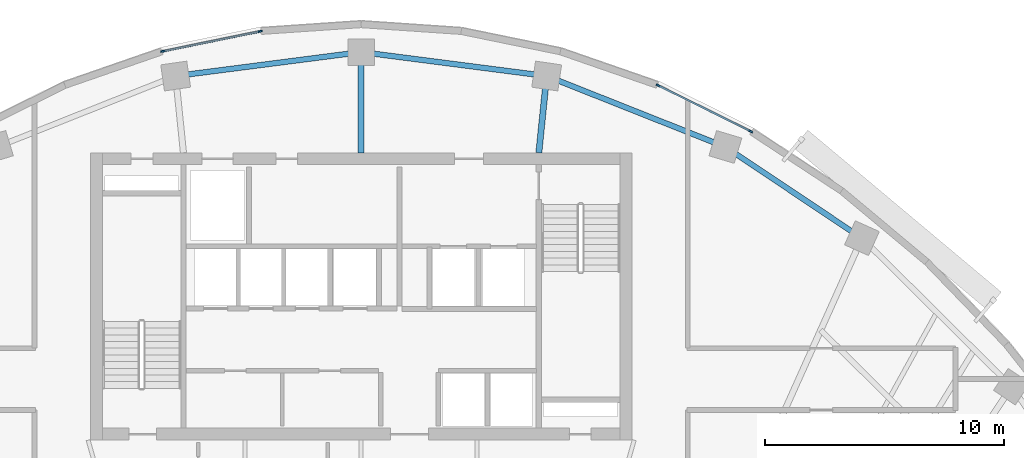
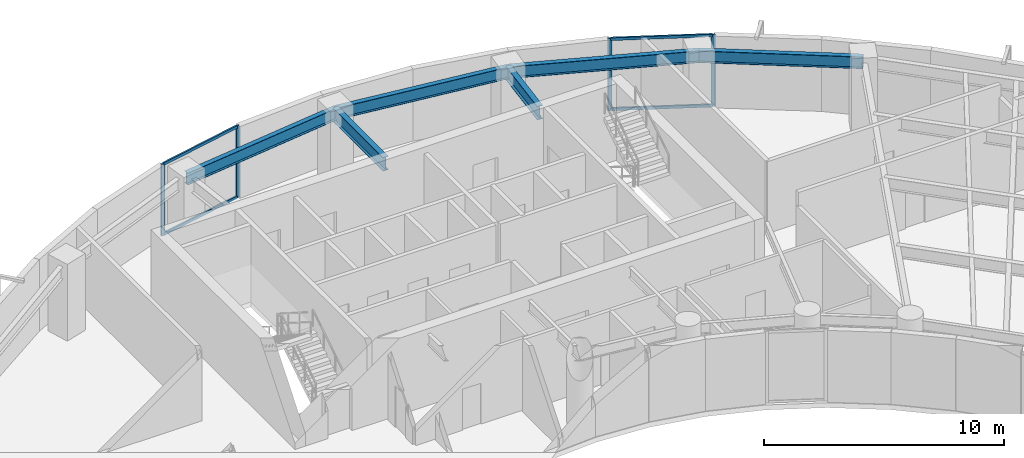
# One storey, part 5 of 13: 8 members, 6 beams, 2 elements without a shape of their own.
"""IFC4 building model written with IfcOpenShell, lengths in metres."""

from ifc_helpers import new_model, si_unit, direction, frame, origin, origin_2d, place, context, subcontext, project, spatial, rectangle, i_section, extrude, source, transform, mapped, material, layer, layer_set, material_profile, profile_set, type_object, element, aggregate, save


model = new_model("IFC4")

# Units and contexts
model_context = context("Model", 3, precision=1e-05, world=origin(), true_north=direction((0.0, 1.0)))
body_context = subcontext(model_context, "Body", "Model", "MODEL_VIEW")
ifc_project = project(units=[si_unit("LENGTHUNIT", "METRE"), si_unit("AREAUNIT", "SQUARE_METRE"), si_unit("VOLUMEUNIT", "CUBIC_METRE"), si_unit("PLANEANGLEUNIT", "RADIAN"), si_unit("MASSUNIT", "GRAM", prefix="KILO")], contexts=[model_context])

# Site, building, storey
site_placement = place(None, origin())
site = spatial("IfcSite", under=ifc_project, at=site_placement, CompositionType="ELEMENT")
building_placement = place(site_placement, origin())
building = spatial("IfcBuilding", under=site, at=building_placement, Name="Breltana Convention Tower", CompositionType="ELEMENT")
storey_placement = place(building_placement, frame((0.0, 0.0, 154.5)))
storey = spatial("IfcBuildingStorey", under=building, at=storey_placement, Name="L37", CompositionType="ELEMENT", Elevation=154.5)

# Beams
ifc_material_1 = material(Name="Steel ASTM A992 Grade 50", Category="steel")
ifc_material_profile_1 = material_profile(ifc_material_1, i_section(OverallWidth=0.25390625, OverallDepth=0.68798828125, WebThickness=0.01318359375, FlangeThickness=0.02099609375, at=origin_2d()), Name="W27X102")
ifc_profile_set_1 = profile_set([ifc_material_profile_1], Name="Steel ASTM A992 Grade 50")
beam_type_1 = type_object("IfcBeamType", Name="BM-RG-W27X102", PredefinedType="USERDEFINED", material=ifc_profile_set_1)
shared_shape_1 = source(origin(), body_context, "Body", "SweptSolid", [
    extrude(i_section(OverallWidth=0.25390625, OverallDepth=0.68798828125, WebThickness=0.01318359375, FlangeThickness=0.02099609375, at=origin_2d()), origin(), (0.0, 0.0, 1.0), 3.220947265625),
])
beam_1_placement = place(storey_placement, frame((55.419921875, 72.199951171875, 3.305908203125), z_axis=(0.101492254858, 0.994836329355, 0.0), x_axis=(-0.994836329355, 0.101492254858, 0.0)))
element("IfcBeam", 1, at=beam_1_placement, inside=storey, type_object=beam_type_1, Name="L37 North Core Radial Girder R07", ObjectType="GIRDER", PredefinedType="USERDEFINED", context=body_context, shape_type="MappedRepresentation", body=[
    mapped(shared_shape_1, transform((0.0, 0.0, 0.0), scale=1.0)),
])
shared_shape_2 = source(origin(), body_context, "Body", "SweptSolid", [
    extrude(i_section(OverallWidth=0.25390625, OverallDepth=0.68798828125, WebThickness=0.01318359375, FlangeThickness=0.02099609375, at=origin_2d()), origin(), (0.0, 0.0, 1.0), 4.2041015625),
])
beam_2_placement = place(storey_placement, frame((48.0, 72.199951171875, 3.305908203125), z_axis=(0.0, 1.0, 0.0), x_axis=(-1.0, 0.0, 0.0)))
element("IfcBeam", 2, at=beam_2_placement, inside=storey, type_object=beam_type_1, Name="L37 North Core Radial Girder R06", ObjectType="GIRDER", PredefinedType="USERDEFINED", context=body_context, shape_type="MappedRepresentation", body=[
    mapped(shared_shape_2, transform((0.0, 0.0, 0.0), scale=1.0)),
])
ifc_material_profile_2 = material_profile(ifc_material_1, i_section(OverallWidth=0.22802734375, OverallDepth=0.60791015625, WebThickness=0.01123046875, FlangeThickness=0.017333984375, at=origin_2d()), Name="W24X76")
ifc_profile_set_2 = profile_set([ifc_material_profile_2], Name="Steel ASTM A992 Grade 50")
beam_type_2 = type_object("IfcBeamType", Name="BM-SP-W24X76", PredefinedType="SPANDREL", material=ifc_profile_set_2)
shared_shape_3 = source(origin(), body_context, "Body", "SweptSolid", [
    extrude(i_section(OverallWidth=0.22802734375, OverallDepth=0.60791015625, WebThickness=0.01123046875, FlangeThickness=0.017333984375, at=origin_2d()), origin(), (0.0, 0.0, 1.0), 8.028564453125),
])
beam_3_placement = place(storey_placement, frame((55.746826171875, 75.404296875, 3.345947265625), z_axis=(0.929459100394, -0.368925169507, 0.0), x_axis=(0.368925169507, 0.929459100394, 0.0)))
element("IfcBeam", 3, at=beam_3_placement, inside=storey, type_object=beam_type_2, Name="L37 Outer Spandrel Beam 07", PredefinedType="SPANDREL", context=body_context, shape_type="MappedRepresentation", body=[
    mapped(shared_shape_3, transform((0.0, 0.0, 0.0), scale=1.0)),
])
shared_shape_4 = source(origin(), body_context, "Body", "SweptSolid", [
    extrude(i_section(OverallWidth=0.22802734375, OverallDepth=0.60791015625, WebThickness=0.01123046875, FlangeThickness=0.017333984375, at=origin_2d()), origin(), (0.0, 0.0, 1.0), 7.81103515625),
])
for number, where, z_axis, x_axis, name in (
    (4, (40.253173828125, 75.404296875, 3.345947265625), (0.991775179127, 0.127992164083, 0.0), (-0.127992164083, 0.991775179127, 0.0), "L37 Outer Spandrel Beam 05"),
    (5, (48.0, 76.404052734375, 3.345947265625), (0.991775179127, -0.127992164083, 0.0), (0.127992164083, 0.991775179127, 0.0), "L37 Outer Spandrel Beam 06"),
):
    element("IfcBeam", number, at=place(storey_placement, frame(where, z_axis=z_axis, x_axis=x_axis)), inside=storey, type_object=beam_type_2, Name=name, PredefinedType="SPANDREL", context=body_context, shape_type="MappedRepresentation", body=[
        mapped(shared_shape_4, transform((0.0, 0.0, 0.0), scale=1.0)),
    ])
shared_shape_5 = source(origin(), body_context, "Body", "SweptSolid", [
    extrude(i_section(OverallWidth=0.22802734375, OverallDepth=0.60791015625, WebThickness=0.01123046875, FlangeThickness=0.017333984375, at=origin_2d()), origin(), (0.0, 0.0, 1.0), 6.856689453125),
])
beam_4_placement = place(storey_placement, frame((63.208984375, 72.4423828125, 3.345947265625), z_axis=(0.83150210718, -0.55552159792, 0.0), x_axis=(0.55552159792, 0.83150210718, 0.0)))
element("IfcBeam", 6, at=beam_4_placement, inside=storey, type_object=beam_type_2, Name="L37 Outer Spandrel Beam 08", PredefinedType="SPANDREL", context=body_context, shape_type="MappedRepresentation", body=[
    mapped(shared_shape_5, transform((0.0, 0.0, 0.0), scale=1.0)),
])

# Curtain wall, members
ifc_material_2 = material(Name="Aluminium Anodised Bronze Frame", Category="aluminium")
ifc_layer = layer(ifc_material_2, 0.2099609375, Name="Aluminium Anodised Bronze Frame")
ifc_layer_set = layer_set([ifc_layer], Name="Aluminium Anodised Bronze Frame")
curtain_wall_type = type_object("IfcCurtainWallType", Name="CW-SYS-3", PredefinedType="NOTDEFINED", material=ifc_layer_set)
curtain_wall_1_placement = place(storey_placement, origin())
curtain_wall_1 = element("IfcCurtainWall", 7, at=curtain_wall_1_placement, inside=storey, type_object=curtain_wall_type, Name="L37 outer double-skin inner glazing 3", PredefinedType="NOTDEFINED")
ifc_material_3 = material(Name="Aluminium Anodised Bronze", Category="aluminium")
ifc_material_profile_3 = material_profile(ifc_material_3, rectangle(XDim=0.070068359375, YDim=0.175048828125, at=origin_2d()), Name="CWM-70X175")
ifc_profile_set_3 = profile_set([ifc_material_profile_3], Name="Aluminium Anodised Bronze")
member_type_1 = type_object("IfcMemberType", Name="CWM-175", PredefinedType="MULLION", material=ifc_profile_set_3)
shared_shape_6 = source(origin(), body_context, "Body", "SweptSolid", [
    extrude(rectangle(XDim=0.070068359375, YDim=0.175048828125, at=origin_2d()), origin(), (0.0, 0.0, 1.0), 3.64990234375),
])
member_1_placement = place(storey_placement, frame((39.71728515625, 76.4384765625, 0.0), z_axis=(0.0, 0.0, 1.0), x_axis=(-0.200876562668, 0.979616560993, 0.0)))
member_1 = element("IfcMember", 8, at=member_1_placement, type_object=member_type_1, Name="CW-03 mullion 1", PredefinedType="MULLION", context=body_context, shape_type="MappedRepresentation", body=[
    mapped(shared_shape_6, transform((0.0, 0.0, 0.0), scale=1.0)),
])
member_2_placement = place(storey_placement, frame((43.7861328125, 77.272705078125, 0.0), z_axis=(0.0, 0.0, 1.0), x_axis=(-0.200876562668, 0.979616560993, 0.0)))
member_2 = element("IfcMember", 9, at=member_2_placement, type_object=member_type_1, Name="CW-03 mullion 2", PredefinedType="MULLION", context=body_context, shape_type="MappedRepresentation", body=[
    mapped(shared_shape_6, transform((0.0, 0.0, 0.0), scale=1.0)),
])

curtain_wall_2_placement = place(storey_placement, origin())
curtain_wall_2 = element("IfcCurtainWall", 10, at=curtain_wall_2_placement, inside=storey, type_object=curtain_wall_type, Name="L37 outer double-skin inner glazing 4", PredefinedType="NOTDEFINED")
member_3_placement = place(storey_placement, frame((60.40185546875, 75.011474609375, 0.0), z_axis=(0.0, 0.0, 1.0), x_axis=(0.444117835682, 0.895968385619, 0.0)))
member_3 = element("IfcMember", 11, at=member_3_placement, type_object=member_type_1, Name="CW-03 mullion 1", PredefinedType="MULLION", context=body_context, shape_type="MappedRepresentation", body=[
    mapped(shared_shape_6, transform((0.0, 0.0, 0.0), scale=1.0)),
])
member_4_placement = place(storey_placement, frame((64.266845703125, 73.095458984375, 0.0), z_axis=(0.0, 0.0, 1.0), x_axis=(0.444117835682, 0.895968385619, 0.0)))
member_4 = element("IfcMember", 12, at=member_4_placement, type_object=member_type_1, Name="CW-03 mullion 2", PredefinedType="MULLION", context=body_context, shape_type="MappedRepresentation", body=[
    mapped(shared_shape_6, transform((0.0, 0.0, 0.0), scale=1.0)),
])
ifc_material_profile_4 = material_profile(ifc_material_3, rectangle(XDim=0.080078125, YDim=0.139892578125, at=origin_2d()), Name="CWT-80X140")
ifc_profile_set_4 = profile_set([ifc_material_profile_4], Name="Aluminium Anodised Bronze")
member_type_2 = type_object("IfcMemberType", Name="CWT-140", PredefinedType="USERDEFINED", material=ifc_profile_set_4)
shared_shape_7 = source(origin(), body_context, "Body", "SweptSolid", [
    extrude(rectangle(XDim=0.080078125, YDim=0.139892578125, at=origin_2d()), origin(), (0.0, 0.0, 1.0), 4.243896484375),
])
member_5_placement = place(storey_placement, frame((60.43310546875, 74.995849609375, 0.0400390625), z_axis=(0.895975011629, -0.444104468043, 0.0), x_axis=(0.444104468043, 0.895975011629, 0.0)))
member_5 = element("IfcMember", 13, at=member_5_placement, type_object=member_type_2, Name="CW-03 transom 1.1", ObjectType="TRANSOM", PredefinedType="USERDEFINED", context=body_context, shape_type="MappedRepresentation", body=[
    mapped(shared_shape_7, transform((0.0, 0.0, 0.0), scale=1.0)),
])
member_6_placement = place(storey_placement, frame((60.43310546875, 74.995849609375, 3.610107421875), z_axis=(0.895975011629, -0.444104468043, 0.0), x_axis=(0.444104468043, 0.895975011629, 0.0)))
member_6 = element("IfcMember", 14, at=member_6_placement, type_object=member_type_2, Name="CW-03 transom 1.2", ObjectType="TRANSOM", PredefinedType="USERDEFINED", context=body_context, shape_type="MappedRepresentation", body=[
    mapped(shared_shape_7, transform((0.0, 0.0, 0.0), scale=1.0)),
])
aggregate(curtain_wall_2, [member_3, member_4, member_5, member_6])

# Member
shared_shape_8 = source(origin(), body_context, "Body", "SweptSolid", [
    extrude(rectangle(XDim=0.080078125, YDim=0.139892578125, at=origin_2d()), origin(), (0.0, 0.0, 1.0), 4.08349609375),
])
member_7_placement = place(storey_placement, frame((39.75146484375, 76.445556640625, 0.0400390625), z_axis=(0.979626533509, 0.20082792347, 0.0), x_axis=(-0.20082792347, 0.979626533509, 0.0)))
member_7 = element("IfcMember", 15, at=member_7_placement, type_object=member_type_2, Name="CW-03 transom 1.1", ObjectType="TRANSOM", PredefinedType="USERDEFINED", context=body_context, shape_type="MappedRepresentation", body=[
    mapped(shared_shape_8, transform((0.0, 0.0, 0.0), scale=1.0)),
])

member_8_placement = place(storey_placement, frame((39.75146484375, 76.445556640625, 3.610107421875), z_axis=(0.979626533509, 0.20082792347, 0.0), x_axis=(-0.20082792347, 0.979626533509, 0.0)))
member_8 = element("IfcMember", 16, at=member_8_placement, type_object=member_type_2, Name="CW-03 transom 1.2", ObjectType="TRANSOM", PredefinedType="USERDEFINED", context=body_context, shape_type="MappedRepresentation", body=[
    mapped(shared_shape_8, transform((0.0, 0.0, 0.0), scale=1.0)),
])

aggregate(curtain_wall_1, [member_1, member_2, member_7, member_8])

save(model, "model.ifc")
